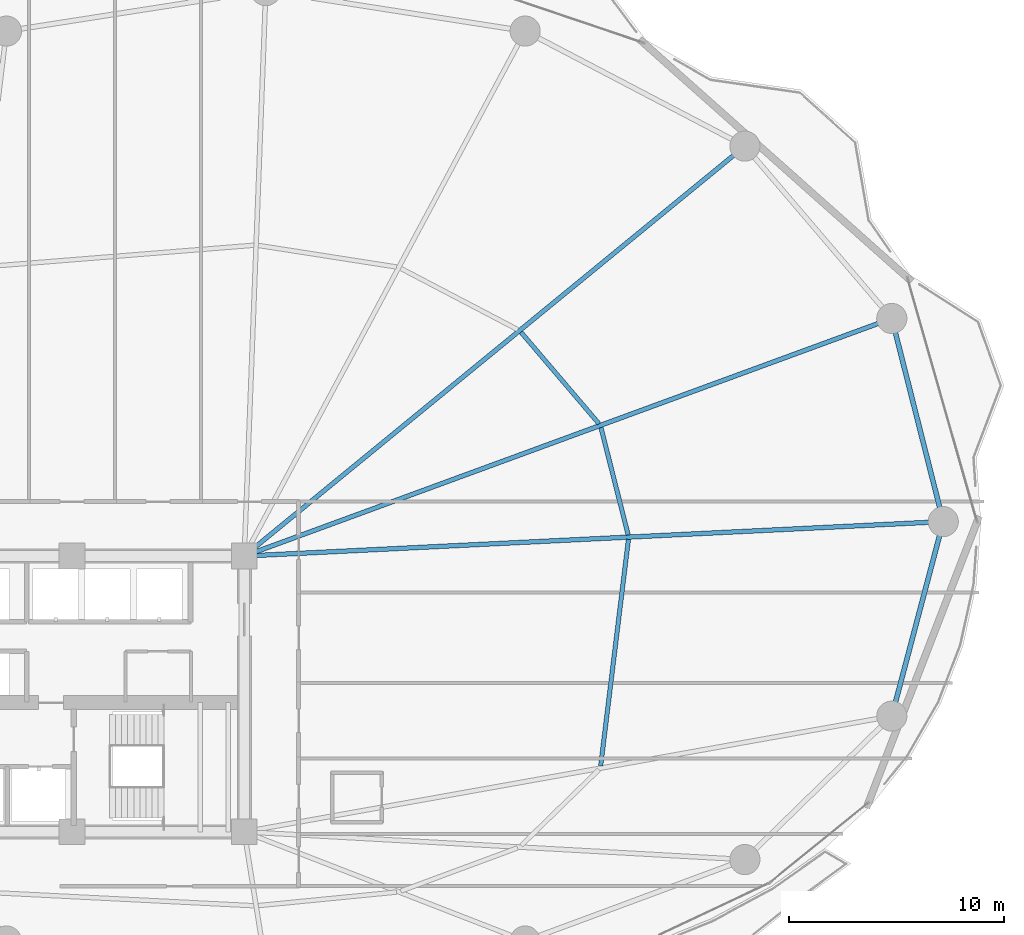
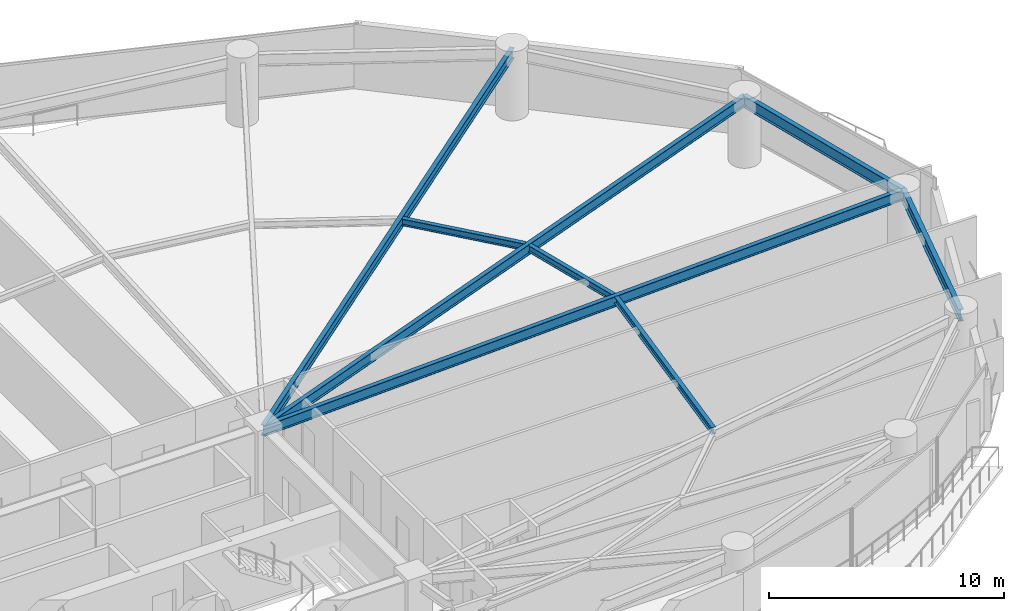
# One storey, part 16 of 31: 8 beams.
"""IFC4 building model written with IfcOpenShell, lengths in metres."""

from ifc_helpers import new_model, si_unit, direction, frame, origin, origin_2d, place, context, subcontext, project, spatial, i_section, extrude, material, material_profile, profile_set, type_object, element, save


model = new_model("IFC4")

# Units and contexts
model_context = context("Model", 3, precision=1e-05, world=origin(), true_north=direction((0.0, 1.0)))
body_context = subcontext(model_context, "Body", "Model", "MODEL_VIEW")
ifc_project = project(units=[si_unit("LENGTHUNIT", "METRE"), si_unit("AREAUNIT", "SQUARE_METRE"), si_unit("VOLUMEUNIT", "CUBIC_METRE"), si_unit("PLANEANGLEUNIT", "RADIAN"), si_unit("MASSUNIT", "GRAM", prefix="KILO")], contexts=[model_context])

# Site, building, storey
site_placement = place(None, origin())
site = spatial("IfcSite", under=ifc_project, at=site_placement, CompositionType="ELEMENT")
building_placement = place(site_placement, origin())
building = spatial("IfcBuilding", under=site, at=building_placement, Name="Kazevale Care Tower and Concert Hall", CompositionType="ELEMENT")
storey_placement = place(building_placement, frame((0.0, 0.0, 78.0)))
storey = spatial("IfcBuildingStorey", under=building, at=storey_placement, Name="L20", CompositionType="ELEMENT", Elevation=78.0)

# Beams
ifc_material = material(Name="Steel ASTM A572 Gr 50", Category="steel")
ifc_material_profile_1 = material_profile(ifc_material, i_section(OverallWidth=0.2119140625, OverallDepth=0.5439453125, WebThickness=0.01318359375, FlangeThickness=0.021240234375, at=origin_2d()), Name="W530x123")
ifc_profile_set_1 = profile_set([ifc_material_profile_1], Name="Steel ASTM A572 Gr 50")
beam_type_1 = type_object("IfcBeamType", Name="Radial Floor Girder W530x123", PredefinedType="BEAM", material=ifc_profile_set_1)
beam_1_placement = place(storey_placement, frame((44.0, 36.39990234375, 3.087890625), z_axis=(0.998786488782, 0.049249871327, 0.0), x_axis=(-0.049249871327, 0.998786488782, 0.0)))
element("IfcBeam", 1, at=beam_1_placement, inside=storey, type_object=beam_type_1, Name="beam:L20:rad:01", PredefinedType="BEAM", context=body_context, shape_type="SweptSolid", body=[
    extrude(i_section(OverallWidth=0.2119140625, OverallDepth=0.5439453125, WebThickness=0.01318359375, FlangeThickness=0.021240234375, at=origin_2d()), origin(), (0.0, 0.0, 1.0), 32.4892578125),
])
beam_2_placement = place(storey_placement, frame((44.0, 36.39990234375, 3.087890625), z_axis=(0.938795458019, 0.34447509054, 0.0), x_axis=(-0.34447509054, 0.938795458019, 0.0)))
element("IfcBeam", 2, at=beam_2_placement, inside=storey, type_object=beam_type_1, Name="beam:L20:rad:02", PredefinedType="BEAM", context=body_context, shape_type="SweptSolid", body=[
    extrude(i_section(OverallWidth=0.2119140625, OverallDepth=0.5439453125, WebThickness=0.01318359375, FlangeThickness=0.021240234375, at=origin_2d()), origin(), (0.0, 0.0, 1.0), 32.019775390625),
])
beam_3_placement = place(storey_placement, frame((44.0, 36.39990234375, 3.087890625), z_axis=(0.773704467398, 0.633546681097, 0.0), x_axis=(-0.633546681097, 0.773704467398, 0.0)))
element("IfcBeam", 3, at=beam_3_placement, inside=storey, type_object=beam_type_1, Name="beam:L20:rad:03", PredefinedType="BEAM", context=body_context, shape_type="SweptSolid", body=[
    extrude(i_section(OverallWidth=0.2119140625, OverallDepth=0.5439453125, WebThickness=0.01318359375, FlangeThickness=0.021240234375, at=origin_2d()), origin(), (0.0, 0.0, 1.0), 30.037353515625),
])
ifc_material_profile_2 = material_profile(ifc_material, i_section(OverallWidth=0.22900390625, OverallDepth=0.612060546875, WebThickness=0.011962890625, FlangeThickness=0.01953125, at=origin_2d()), Name="W610x125")
ifc_profile_set_2 = profile_set([ifc_material_profile_2], Name="Steel ASTM A572 Gr 50")
beam_type_2 = type_object("IfcBeamType", Name="Ring Spandrel Beam W610x125", PredefinedType="SPANDREL", material=ifc_profile_set_2)
beam_4_placement = place(storey_placement, frame((76.449951171875, 38.0, 3.053955078125), z_axis=(-0.245669948409, 0.969353535326, 0.0), x_axis=(-0.969353535326, -0.245669948409, 0.0)))
element("IfcBeam", 4, at=beam_4_placement, inside=storey, type_object=beam_type_2, Name="beam:L20:ring:01", PredefinedType="SPANDREL", context=body_context, shape_type="SweptSolid", body=[
    extrude(i_section(OverallWidth=0.22900390625, OverallDepth=0.612060546875, WebThickness=0.011962890625, FlangeThickness=0.01953125, at=origin_2d()), origin(), (0.0, 0.0, 1.0), 9.72802734375),
])
beam_5_placement = place(storey_placement, frame((74.06005859375, 28.969970703125, 3.053955078125), z_axis=(0.255851611973, 0.966716066201, 0.0), x_axis=(-0.966716066201, 0.255851611973, 0.0)))
element("IfcBeam", 5, at=beam_5_placement, inside=storey, type_object=beam_type_2, Name="beam:L20:ring:16", PredefinedType="SPANDREL", context=body_context, shape_type="SweptSolid", body=[
    extrude(i_section(OverallWidth=0.22900390625, OverallDepth=0.612060546875, WebThickness=0.011962890625, FlangeThickness=0.01953125, at=origin_2d()), origin(), (0.0, 0.0, 1.0), 9.3408203125),
])
ifc_material_profile_3 = material_profile(ifc_material, i_section(OverallWidth=0.205078125, OverallDepth=0.35400390625, WebThickness=0.009521484375, FlangeThickness=0.016845703125, at=origin_2d()), Name="W360x79")
ifc_profile_set_3 = profile_set([ifc_material_profile_3], Name="Steel ASTM A572 Gr 50")
beam_type_3 = type_object("IfcBeamType", Name="Secondary Floor Joist W360x79", PredefinedType="JOIST", material=ifc_profile_set_3)
beam_6_placement = place(storey_placement, frame((61.822021484375, 37.382080078125, 3.18310546875), z_axis=(-0.24568570229, 0.969349542575, 0.0), x_axis=(-0.969349542575, -0.24568570229, 0.0)))
element("IfcBeam", 6, at=beam_6_placement, inside=storey, type_object=beam_type_3, Name="beam:L20:joist:01", PredefinedType="JOIST", context=body_context, shape_type="SweptSolid", body=[
    extrude(i_section(OverallWidth=0.205078125, OverallDepth=0.35400390625, WebThickness=0.009521484375, FlangeThickness=0.016845703125, at=origin_2d()), origin(), (0.0, 0.0, 1.0), 5.140380859375),
])
beam_7_placement = place(storey_placement, frame((60.465087890625, 42.5458984375, 3.18310546875), z_axis=(-0.648685510477, 0.761056573783, 0.0), x_axis=(-0.761056573783, -0.648685510477, 0.0)))
element("IfcBeam", 7, at=beam_7_placement, inside=storey, type_object=beam_type_3, Name="beam:L20:joist:02", PredefinedType="JOIST", context=body_context, shape_type="SweptSolid", body=[
    extrude(i_section(OverallWidth=0.205078125, OverallDepth=0.35400390625, WebThickness=0.009521484375, FlangeThickness=0.016845703125, at=origin_2d()), origin(), (0.0, 0.0, 1.0), 5.57275390625),
])
beam_8_placement = place(storey_placement, frame((60.5458984375, 26.657958984375, 3.18310546875), z_axis=(0.1216468088, 0.992573450133, 0.0), x_axis=(-0.992573450133, 0.1216468088, 0.0)))
element("IfcBeam", 8, at=beam_8_placement, inside=storey, type_object=beam_type_3, Name="beam:L20:joist:16", PredefinedType="JOIST", context=body_context, shape_type="SweptSolid", body=[
    extrude(i_section(OverallWidth=0.205078125, OverallDepth=0.35400390625, WebThickness=0.009521484375, FlangeThickness=0.016845703125, at=origin_2d()), origin(), (0.0, 0.0, 1.0), 10.5966796875),
])

save(model, "model.ifc")
